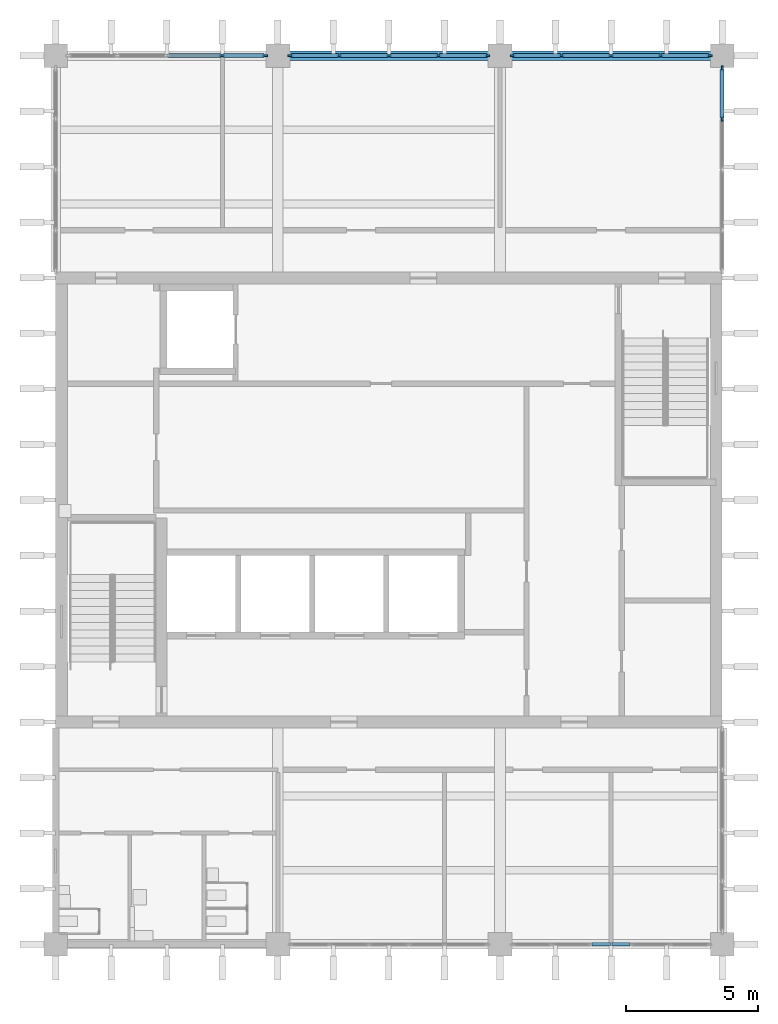
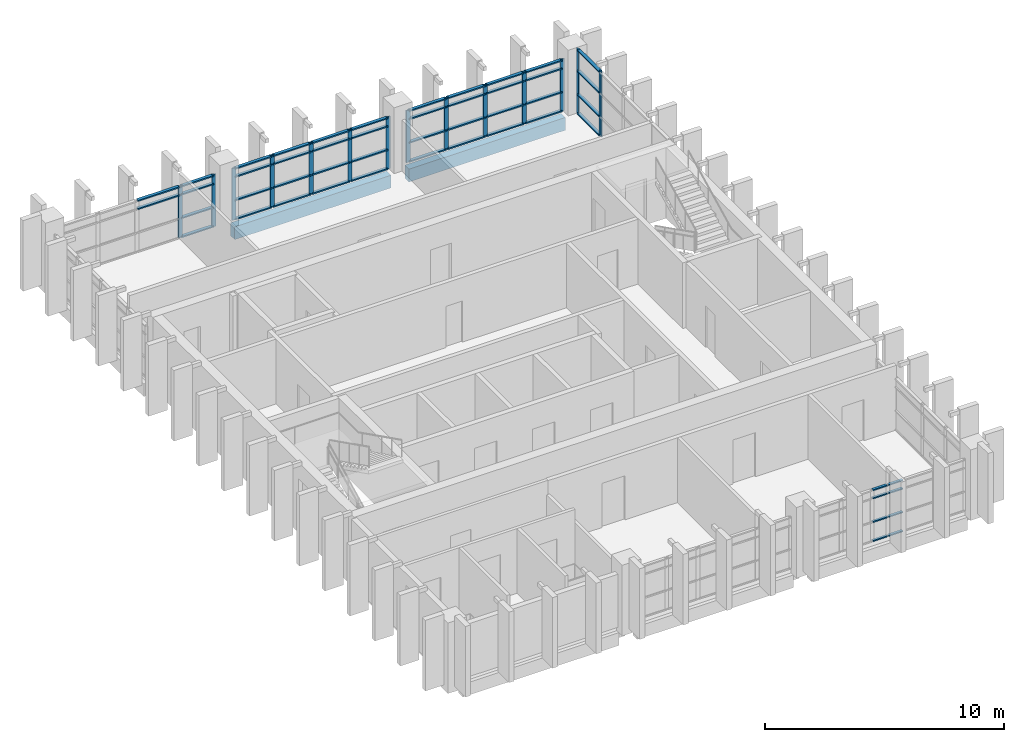
# One storey, part 4 of 11: 64 members, 2 beams, 5 elements without a shape of their own.
"""IFC4 building model written with IfcOpenShell, lengths in metres."""

from ifc_helpers import new_model, si_unit, direction, frame, origin, origin_2d, place, context, subcontext, project, spatial, rectangle, extrude, material, layer, layer_set, material_profile, profile_set, type_object, element, aggregate, save


model = new_model("IFC4")

# Units and contexts
model_context = context("Model", 3, precision=1e-05, world=origin(), true_north=direction((0.0, 1.0)))
body_context = subcontext(model_context, "Body", "Model", "MODEL_VIEW")
ifc_project = project(units=[si_unit("LENGTHUNIT", "METRE"), si_unit("AREAUNIT", "SQUARE_METRE"), si_unit("VOLUMEUNIT", "CUBIC_METRE"), si_unit("PLANEANGLEUNIT", "RADIAN"), si_unit("MASSUNIT", "GRAM", prefix="KILO")], contexts=[model_context])

# Site, building, storey
site_placement = place(None, origin())
site = spatial("IfcSite", under=ifc_project, at=site_placement, CompositionType="ELEMENT")
building_placement = place(site_placement, origin())
building = spatial("IfcBuilding", under=site, at=building_placement, Name="Rulbaag Community and Learning Centre", CompositionType="ELEMENT")
storey_placement = place(building_placement, frame((0.0, 0.0, 32.39990234375)))
storey = spatial("IfcBuildingStorey", under=building, at=storey_placement, Name="L08", CompositionType="ELEMENT", Elevation=32.39990234375)

# Beams
ifc_material_1 = material(Name="Concrete M40", Category="concrete")
ifc_material_profile_1 = material_profile(ifc_material_1, rectangle(XDim=0.35009765625, YDim=0.64990234375, at=origin_2d()), Name="RB350x650")
ifc_profile_set_1 = profile_set([ifc_material_profile_1], Name="Concrete M40")
beam_type = type_object("IfcBeamType", Name="B14 Tower edge beam, upper zone 350x650 Concrete M40", PredefinedType="BEAM", material=ifc_profile_set_1)
for number, where, z_axis, x_axis, name in (
    (1, (151.6298828125, 117.60009765625, -0.574951171875), (1.0, 0.0, 0.0), (0.0, 1.0, 0.0), "BM-L08-19O-20O"),
    (2, (160.030029296875, 117.60009765625, -0.574951171875), (1.0, 0.0, 0.0), (0.0, 1.0, 0.0), "BM-L08-20O-21O"),
):
    element("IfcBeam", number, at=place(storey_placement, frame(where, z_axis=z_axis, x_axis=x_axis)), inside=storey, type_object=beam_type, Name=name, PredefinedType="BEAM", context=body_context, shape_type="SweptSolid", body=[
        extrude(rectangle(XDim=0.35009765625, YDim=0.64990234375, at=origin_2d()), origin(), (0.0, 0.0, 1.0), 7.5400390625),
    ])

# Curtain wall, members
ifc_material_2 = material(Name="Aluminium", Category="aluminium")
ifc_layer_1 = layer(ifc_material_2, 0.14990234375)
ifc_layer_set_1 = layer_set([ifc_layer_1], Name="CW-S")
curtain_wall_type_1 = type_object("IfcCurtainWallType", Name="CW-S", PredefinedType="USERDEFINED", material=ifc_layer_set_1)
curtain_wall_1_placement = place(storey_placement, origin())
curtain_wall_1 = element("IfcCurtainWall", 3, at=curtain_wall_1_placement, inside=storey, type_object=curtain_wall_type_1, Name="GS-L08-02", ObjectType="UNITISED CURTAIN WALL", PredefinedType="USERDEFINED")
ifc_material_3 = material(Name="Aluminium transom", Category="aluminium")
ifc_material_profile_2 = material_profile(ifc_material_3, rectangle(XDim=0.125, YDim=0.06005859375, at=origin_2d()), Name="AL 60x125 T")
ifc_profile_set_2 = profile_set([ifc_material_profile_2], Name="Aluminium transom")
member_type_1 = type_object("IfcMemberType", Name="CW-S-TRN", PredefinedType="USERDEFINED", material=ifc_profile_set_2)
member_1_placement = place(storey_placement, frame((163.080078125, 84.0, 0.030029296875), z_axis=(1.0, 0.0, 0.0), x_axis=(0.0, 1.0, 0.0)))
member_1 = element("IfcMember", 4, at=member_1_placement, type_object=member_type_1, Name="GS transom 3.1", ObjectType="TRANSOM", PredefinedType="USERDEFINED", context=body_context, shape_type="SweptSolid", body=[
    extrude(rectangle(XDim=0.125, YDim=0.06005859375, at=origin_2d()), origin(), (0.0, 0.0, 1.0), 0.68994140625),
])
member_2_placement = place(storey_placement, frame((163.080078125, 84.0, 1.0), z_axis=(1.0, 0.0, 0.0), x_axis=(0.0, 1.0, 0.0)))
member_2 = element("IfcMember", 5, at=member_2_placement, type_object=member_type_1, Name="GS transom 3.2", ObjectType="TRANSOM", PredefinedType="USERDEFINED", context=body_context, shape_type="SweptSolid", body=[
    extrude(rectangle(XDim=0.125, YDim=0.06005859375, at=origin_2d()), origin(), (0.0, 0.0, 1.0), 0.68994140625),
])
member_3_placement = place(storey_placement, frame((163.080078125, 84.0, 2.2001953125), z_axis=(1.0, 0.0, 0.0), x_axis=(0.0, 1.0, 0.0)))
member_3 = element("IfcMember", 6, at=member_3_placement, type_object=member_type_1, Name="GS transom 3.3", ObjectType="TRANSOM", PredefinedType="USERDEFINED", context=body_context, shape_type="SweptSolid", body=[
    extrude(rectangle(XDim=0.125, YDim=0.06005859375, at=origin_2d()), origin(), (0.0, 0.0, 1.0), 0.68994140625),
])
member_4_placement = place(storey_placement, frame((163.080078125, 84.0, 2.6201171875), z_axis=(1.0, 0.0, 0.0), x_axis=(0.0, 1.0, 0.0)))
member_4 = element("IfcMember", 7, at=member_4_placement, type_object=member_type_1, Name="GS transom 3.4", ObjectType="TRANSOM", PredefinedType="USERDEFINED", context=body_context, shape_type="SweptSolid", body=[
    extrude(rectangle(XDim=0.125, YDim=0.06005859375, at=origin_2d()), origin(), (0.0, 0.0, 1.0), 0.68994140625),
])
member_5_placement = place(storey_placement, frame((163.830078125, 84.0, 0.030029296875), z_axis=(1.0, 0.0, 0.0), x_axis=(0.0, 1.0, 0.0)))
member_5 = element("IfcMember", 8, at=member_5_placement, type_object=member_type_1, Name="GS transom 4.1", ObjectType="TRANSOM", PredefinedType="USERDEFINED", context=body_context, shape_type="SweptSolid", body=[
    extrude(rectangle(XDim=0.125, YDim=0.06005859375, at=origin_2d()), origin(), (0.0, 0.0, 1.0), 0.68994140625),
])
member_6_placement = place(storey_placement, frame((163.830078125, 84.0, 1.0), z_axis=(1.0, 0.0, 0.0), x_axis=(0.0, 1.0, 0.0)))
member_6 = element("IfcMember", 9, at=member_6_placement, type_object=member_type_1, Name="GS transom 4.2", ObjectType="TRANSOM", PredefinedType="USERDEFINED", context=body_context, shape_type="SweptSolid", body=[
    extrude(rectangle(XDim=0.125, YDim=0.06005859375, at=origin_2d()), origin(), (0.0, 0.0, 1.0), 0.68994140625),
])
member_7_placement = place(storey_placement, frame((163.830078125, 84.0, 2.2001953125), z_axis=(1.0, 0.0, 0.0), x_axis=(0.0, 1.0, 0.0)))
member_7 = element("IfcMember", 10, at=member_7_placement, type_object=member_type_1, Name="GS transom 4.3", ObjectType="TRANSOM", PredefinedType="USERDEFINED", context=body_context, shape_type="SweptSolid", body=[
    extrude(rectangle(XDim=0.125, YDim=0.06005859375, at=origin_2d()), origin(), (0.0, 0.0, 1.0), 0.68994140625),
])
member_8_placement = place(storey_placement, frame((163.830078125, 84.0, 2.6201171875), z_axis=(1.0, 0.0, 0.0), x_axis=(0.0, 1.0, 0.0)))
member_8 = element("IfcMember", 11, at=member_8_placement, type_object=member_type_1, Name="GS transom 4.4", ObjectType="TRANSOM", PredefinedType="USERDEFINED", context=body_context, shape_type="SweptSolid", body=[
    extrude(rectangle(XDim=0.125, YDim=0.06005859375, at=origin_2d()), origin(), (0.0, 0.0, 1.0), 0.68994140625),
])
aggregate(curtain_wall_1, [member_1, member_2, member_3, member_4, member_5, member_6, member_7, member_8])

ifc_layer_2 = layer(ifc_material_2, 0.14990234375)
ifc_layer_set_2 = layer_set([ifc_layer_2], Name="CW-T")
curtain_wall_type_2 = type_object("IfcCurtainWallType", Name="CW-T", PredefinedType="USERDEFINED", material=ifc_layer_set_2)
curtain_wall_2_placement = place(storey_placement, origin())
curtain_wall_2 = element("IfcCurtainWall", 12, at=curtain_wall_2_placement, inside=storey, type_object=curtain_wall_type_2, Name="GT-L08-01", ObjectType="UNITISED CURTAIN WALL", PredefinedType="USERDEFINED")
ifc_material_4 = material(Name="Aluminium mullion", Category="aluminium")
ifc_material_profile_3 = material_profile(ifc_material_4, rectangle(XDim=0.06494140625, YDim=0.199951171875, at=origin_2d()), Name="AL 65x200")
ifc_profile_set_3 = profile_set([ifc_material_profile_3], Name="Aluminium mullion")
member_type_2 = type_object("IfcMemberType", Name="CW-T-MUL", PredefinedType="MULLION", material=ifc_profile_set_3)
member_9_placement = place(storey_placement, frame((149.10009765625, 117.60009765625, 0.0), z_axis=(0.0, 0.0, 1.0), x_axis=(0.0, 1.0, 0.0)))
member_9 = element("IfcMember", 13, at=member_9_placement, type_object=member_type_2, Name="GT mullion 4", PredefinedType="MULLION", context=body_context, shape_type="SweptSolid", body=[
    extrude(rectangle(XDim=0.06494140625, YDim=0.199951171875, at=origin_2d()), origin(), (0.0, 0.0, 1.0), 2.650146484375),
])
member_10_placement = place(storey_placement, frame((150.717529296875, 117.60009765625, 0.0), z_axis=(0.0, 0.0, 1.0), x_axis=(0.0, 1.0, 0.0)))
member_10 = element("IfcMember", 14, at=member_10_placement, type_object=member_type_2, Name="GT mullion 5", PredefinedType="MULLION", context=body_context, shape_type="SweptSolid", body=[
    extrude(rectangle(XDim=0.06494140625, YDim=0.199951171875, at=origin_2d()), origin(), (0.0, 0.0, 1.0), 2.650146484375),
])

curtain_wall_3_placement = place(storey_placement, origin())
curtain_wall_3 = element("IfcCurtainWall", 15, at=curtain_wall_3_placement, inside=storey, type_object=curtain_wall_type_2, Name="GT-L08-02", ObjectType="UNITISED CURTAIN WALL", PredefinedType="USERDEFINED")
member_11_placement = place(storey_placement, frame((151.6826171875, 117.60009765625, 0.0), z_axis=(0.0, 0.0, 1.0), x_axis=(0.0, 1.0, 0.0)))
member_11 = element("IfcMember", 16, at=member_11_placement, type_object=member_type_2, Name="GT mullion 1", PredefinedType="MULLION", context=body_context, shape_type="SweptSolid", body=[
    extrude(rectangle(XDim=0.06494140625, YDim=0.199951171875, at=origin_2d()), origin(), (0.0, 0.0, 1.0), 2.650146484375),
])
member_12_placement = place(storey_placement, frame((153.52490234375, 117.60009765625, 0.0), z_axis=(0.0, 0.0, 1.0), x_axis=(0.0, 1.0, 0.0)))
member_12 = element("IfcMember", 17, at=member_12_placement, type_object=member_type_2, Name="GT mullion 2", PredefinedType="MULLION", context=body_context, shape_type="SweptSolid", body=[
    extrude(rectangle(XDim=0.06494140625, YDim=0.199951171875, at=origin_2d()), origin(), (0.0, 0.0, 1.0), 2.650146484375),
])
member_13_placement = place(storey_placement, frame((155.39990234375, 117.60009765625, 0.0), z_axis=(0.0, 0.0, 1.0), x_axis=(0.0, 1.0, 0.0)))
member_13 = element("IfcMember", 18, at=member_13_placement, type_object=member_type_2, Name="GT mullion 3", PredefinedType="MULLION", context=body_context, shape_type="SweptSolid", body=[
    extrude(rectangle(XDim=0.06494140625, YDim=0.199951171875, at=origin_2d()), origin(), (0.0, 0.0, 1.0), 2.650146484375),
])
member_14_placement = place(storey_placement, frame((157.27490234375, 117.60009765625, 0.0), z_axis=(0.0, 0.0, 1.0), x_axis=(0.0, 1.0, 0.0)))
member_14 = element("IfcMember", 19, at=member_14_placement, type_object=member_type_2, Name="GT mullion 4", PredefinedType="MULLION", context=body_context, shape_type="SweptSolid", body=[
    extrude(rectangle(XDim=0.06494140625, YDim=0.199951171875, at=origin_2d()), origin(), (0.0, 0.0, 1.0), 2.650146484375),
])
member_15_placement = place(storey_placement, frame((159.117431640625, 117.60009765625, 0.0), z_axis=(0.0, 0.0, 1.0), x_axis=(0.0, 1.0, 0.0)))
member_15 = element("IfcMember", 20, at=member_15_placement, type_object=member_type_2, Name="GT mullion 5", PredefinedType="MULLION", context=body_context, shape_type="SweptSolid", body=[
    extrude(rectangle(XDim=0.06494140625, YDim=0.199951171875, at=origin_2d()), origin(), (0.0, 0.0, 1.0), 2.650146484375),
])

curtain_wall_4_placement = place(storey_placement, origin())
curtain_wall_4 = element("IfcCurtainWall", 21, at=curtain_wall_4_placement, inside=storey, type_object=curtain_wall_type_2, Name="GT-L08-03", ObjectType="UNITISED CURTAIN WALL", PredefinedType="USERDEFINED")
member_16_placement = place(storey_placement, frame((160.08251953125, 117.60009765625, 0.0), z_axis=(0.0, 0.0, 1.0), x_axis=(0.0, 1.0, 0.0)))
member_16 = element("IfcMember", 22, at=member_16_placement, type_object=member_type_2, Name="GT mullion 1", PredefinedType="MULLION", context=body_context, shape_type="SweptSolid", body=[
    extrude(rectangle(XDim=0.06494140625, YDim=0.199951171875, at=origin_2d()), origin(), (0.0, 0.0, 1.0), 2.650146484375),
])
member_17_placement = place(storey_placement, frame((161.925048828125, 117.60009765625, 0.0), z_axis=(0.0, 0.0, 1.0), x_axis=(0.0, 1.0, 0.0)))
member_17 = element("IfcMember", 23, at=member_17_placement, type_object=member_type_2, Name="GT mullion 2", PredefinedType="MULLION", context=body_context, shape_type="SweptSolid", body=[
    extrude(rectangle(XDim=0.06494140625, YDim=0.199951171875, at=origin_2d()), origin(), (0.0, 0.0, 1.0), 2.650146484375),
])
member_18_placement = place(storey_placement, frame((163.800048828125, 117.60009765625, 0.0), z_axis=(0.0, 0.0, 1.0), x_axis=(0.0, 1.0, 0.0)))
member_18 = element("IfcMember", 24, at=member_18_placement, type_object=member_type_2, Name="GT mullion 3", PredefinedType="MULLION", context=body_context, shape_type="SweptSolid", body=[
    extrude(rectangle(XDim=0.06494140625, YDim=0.199951171875, at=origin_2d()), origin(), (0.0, 0.0, 1.0), 2.650146484375),
])
member_19_placement = place(storey_placement, frame((165.675048828125, 117.60009765625, 0.0), z_axis=(0.0, 0.0, 1.0), x_axis=(0.0, 1.0, 0.0)))
member_19 = element("IfcMember", 25, at=member_19_placement, type_object=member_type_2, Name="GT mullion 4", PredefinedType="MULLION", context=body_context, shape_type="SweptSolid", body=[
    extrude(rectangle(XDim=0.06494140625, YDim=0.199951171875, at=origin_2d()), origin(), (0.0, 0.0, 1.0), 2.650146484375),
])
member_20_placement = place(storey_placement, frame((167.517578125, 117.60009765625, 0.0), z_axis=(0.0, 0.0, 1.0), x_axis=(0.0, 1.0, 0.0)))
member_20 = element("IfcMember", 26, at=member_20_placement, type_object=member_type_2, Name="GT mullion 5", PredefinedType="MULLION", context=body_context, shape_type="SweptSolid", body=[
    extrude(rectangle(XDim=0.06494140625, YDim=0.199951171875, at=origin_2d()), origin(), (0.0, 0.0, 1.0), 2.650146484375),
])

curtain_wall_5_placement = place(storey_placement, origin())
curtain_wall_5 = element("IfcCurtainWall", 27, at=curtain_wall_5_placement, inside=storey, type_object=curtain_wall_type_2, Name="GT-L08-06", ObjectType="UNITISED CURTAIN WALL", PredefinedType="USERDEFINED")
member_21_placement = place(storey_placement, frame((168.0, 115.21875, 0.0), z_axis=(0.0, 0.0, 1.0), x_axis=(-1.0, 0.0, 0.0)))
member_21 = element("IfcMember", 28, at=member_21_placement, type_object=member_type_2, Name="GT mullion 4", PredefinedType="MULLION", context=body_context, shape_type="SweptSolid", body=[
    extrude(rectangle(XDim=0.06494140625, YDim=0.199951171875, at=origin_2d()), origin(), (0.0, 0.0, 1.0), 3.300048828125),
])
member_22_placement = place(storey_placement, frame((168.0, 117.117431640625, 0.0), z_axis=(0.0, 0.0, 1.0), x_axis=(-1.0, 0.0, 0.0)))
member_22 = element("IfcMember", 29, at=member_22_placement, type_object=member_type_2, Name="GT mullion 5", PredefinedType="MULLION", context=body_context, shape_type="SweptSolid", body=[
    extrude(rectangle(XDim=0.06494140625, YDim=0.199951171875, at=origin_2d()), origin(), (0.0, 0.0, 1.0), 3.300048828125),
])

# Member
ifc_material_profile_4 = material_profile(ifc_material_3, rectangle(XDim=0.14990234375, YDim=0.06494140625, at=origin_2d()), Name="AL 65x150 T")
ifc_profile_set_4 = profile_set([ifc_material_profile_4], Name="Aluminium transom")
member_type_3 = type_object("IfcMemberType", Name="CW-T-TRN", PredefinedType="USERDEFINED", material=ifc_profile_set_4)
member_23_placement = place(storey_placement, frame((147.032470703125, 117.60009765625, 2.2001953125), z_axis=(1.0, 0.0, 0.0), x_axis=(0.0, 1.0, 0.0)))
member_23 = element("IfcMember", 30, at=member_23_placement, type_object=member_type_3, Name="GT transom 3.3", ObjectType="TRANSOM", PredefinedType="USERDEFINED", context=body_context, shape_type="SweptSolid", body=[
    extrude(rectangle(XDim=0.14990234375, YDim=0.06494140625, at=origin_2d()), origin(), (0.0, 0.0, 1.0), 2.034912109375),
])

member_24_placement = place(storey_placement, frame((147.032470703125, 117.60009765625, 2.61767578125), z_axis=(1.0, 0.0, 0.0), x_axis=(0.0, 1.0, 0.0)))
member_24 = element("IfcMember", 31, at=member_24_placement, type_object=member_type_3, Name="GT transom 3.4", ObjectType="TRANSOM", PredefinedType="USERDEFINED", context=body_context, shape_type="SweptSolid", body=[
    extrude(rectangle(XDim=0.14990234375, YDim=0.06494140625, at=origin_2d()), origin(), (0.0, 0.0, 1.0), 2.034912109375),
])

member_25_placement = place(storey_placement, frame((149.132568359375, 117.60009765625, 0.03271484375), z_axis=(1.0, 0.0, 0.0), x_axis=(0.0, 1.0, 0.0)))
member_25 = element("IfcMember", 32, at=member_25_placement, type_object=member_type_3, Name="GT transom 4.1", ObjectType="TRANSOM", PredefinedType="USERDEFINED", context=body_context, shape_type="SweptSolid", body=[
    extrude(rectangle(XDim=0.14990234375, YDim=0.06494140625, at=origin_2d()), origin(), (0.0, 0.0, 1.0), 1.552490234375),
])

member_26_placement = place(storey_placement, frame((149.132568359375, 117.60009765625, 1.0), z_axis=(1.0, 0.0, 0.0), x_axis=(0.0, 1.0, 0.0)))
member_26 = element("IfcMember", 33, at=member_26_placement, type_object=member_type_3, Name="GT transom 4.2", ObjectType="TRANSOM", PredefinedType="USERDEFINED", context=body_context, shape_type="SweptSolid", body=[
    extrude(rectangle(XDim=0.14990234375, YDim=0.06494140625, at=origin_2d()), origin(), (0.0, 0.0, 1.0), 1.552490234375),
])

member_27_placement = place(storey_placement, frame((149.132568359375, 117.60009765625, 2.2001953125), z_axis=(1.0, 0.0, 0.0), x_axis=(0.0, 1.0, 0.0)))
member_27 = element("IfcMember", 34, at=member_27_placement, type_object=member_type_3, Name="GT transom 4.3", ObjectType="TRANSOM", PredefinedType="USERDEFINED", context=body_context, shape_type="SweptSolid", body=[
    extrude(rectangle(XDim=0.14990234375, YDim=0.06494140625, at=origin_2d()), origin(), (0.0, 0.0, 1.0), 1.552490234375),
])

member_28_placement = place(storey_placement, frame((149.132568359375, 117.60009765625, 2.61767578125), z_axis=(1.0, 0.0, 0.0), x_axis=(0.0, 1.0, 0.0)))
member_28 = element("IfcMember", 35, at=member_28_placement, type_object=member_type_3, Name="GT transom 4.4", ObjectType="TRANSOM", PredefinedType="USERDEFINED", context=body_context, shape_type="SweptSolid", body=[
    extrude(rectangle(XDim=0.14990234375, YDim=0.06494140625, at=origin_2d()), origin(), (0.0, 0.0, 1.0), 1.552490234375),
])

aggregate(curtain_wall_2, [member_9, member_10, member_23, member_24, member_25, member_26, member_27, member_28])

member_29_placement = place(storey_placement, frame((151.715087890625, 117.60009765625, 0.03271484375), z_axis=(1.0, 0.0, 0.0), x_axis=(0.0, 1.0, 0.0)))
member_29 = element("IfcMember", 36, at=member_29_placement, type_object=member_type_3, Name="GT transom 1.1", ObjectType="TRANSOM", PredefinedType="USERDEFINED", context=body_context, shape_type="SweptSolid", body=[
    extrude(rectangle(XDim=0.14990234375, YDim=0.06494140625, at=origin_2d()), origin(), (0.0, 0.0, 1.0), 1.77734375),
])

member_30_placement = place(storey_placement, frame((151.715087890625, 117.60009765625, 1.0), z_axis=(1.0, 0.0, 0.0), x_axis=(0.0, 1.0, 0.0)))
member_30 = element("IfcMember", 37, at=member_30_placement, type_object=member_type_3, Name="GT transom 1.2", ObjectType="TRANSOM", PredefinedType="USERDEFINED", context=body_context, shape_type="SweptSolid", body=[
    extrude(rectangle(XDim=0.14990234375, YDim=0.06494140625, at=origin_2d()), origin(), (0.0, 0.0, 1.0), 1.77734375),
])

member_31_placement = place(storey_placement, frame((151.715087890625, 117.60009765625, 2.2001953125), z_axis=(1.0, 0.0, 0.0), x_axis=(0.0, 1.0, 0.0)))
member_31 = element("IfcMember", 38, at=member_31_placement, type_object=member_type_3, Name="GT transom 1.3", ObjectType="TRANSOM", PredefinedType="USERDEFINED", context=body_context, shape_type="SweptSolid", body=[
    extrude(rectangle(XDim=0.14990234375, YDim=0.06494140625, at=origin_2d()), origin(), (0.0, 0.0, 1.0), 1.77734375),
])

member_32_placement = place(storey_placement, frame((151.715087890625, 117.60009765625, 2.61767578125), z_axis=(1.0, 0.0, 0.0), x_axis=(0.0, 1.0, 0.0)))
member_32 = element("IfcMember", 39, at=member_32_placement, type_object=member_type_3, Name="GT transom 1.4", ObjectType="TRANSOM", PredefinedType="USERDEFINED", context=body_context, shape_type="SweptSolid", body=[
    extrude(rectangle(XDim=0.14990234375, YDim=0.06494140625, at=origin_2d()), origin(), (0.0, 0.0, 1.0), 1.77734375),
])

member_33_placement = place(storey_placement, frame((153.5576171875, 117.60009765625, 0.03271484375), z_axis=(1.0, 0.0, 0.0), x_axis=(0.0, 1.0, 0.0)))
member_33 = element("IfcMember", 40, at=member_33_placement, type_object=member_type_3, Name="GT transom 2.1", ObjectType="TRANSOM", PredefinedType="USERDEFINED", context=body_context, shape_type="SweptSolid", body=[
    extrude(rectangle(XDim=0.14990234375, YDim=0.06494140625, at=origin_2d()), origin(), (0.0, 0.0, 1.0), 1.809814453125),
])

member_34_placement = place(storey_placement, frame((153.5576171875, 117.60009765625, 1.0), z_axis=(1.0, 0.0, 0.0), x_axis=(0.0, 1.0, 0.0)))
member_34 = element("IfcMember", 41, at=member_34_placement, type_object=member_type_3, Name="GT transom 2.2", ObjectType="TRANSOM", PredefinedType="USERDEFINED", context=body_context, shape_type="SweptSolid", body=[
    extrude(rectangle(XDim=0.14990234375, YDim=0.06494140625, at=origin_2d()), origin(), (0.0, 0.0, 1.0), 1.809814453125),
])

member_35_placement = place(storey_placement, frame((153.5576171875, 117.60009765625, 2.2001953125), z_axis=(1.0, 0.0, 0.0), x_axis=(0.0, 1.0, 0.0)))
member_35 = element("IfcMember", 42, at=member_35_placement, type_object=member_type_3, Name="GT transom 2.3", ObjectType="TRANSOM", PredefinedType="USERDEFINED", context=body_context, shape_type="SweptSolid", body=[
    extrude(rectangle(XDim=0.14990234375, YDim=0.06494140625, at=origin_2d()), origin(), (0.0, 0.0, 1.0), 1.809814453125),
])

member_36_placement = place(storey_placement, frame((153.5576171875, 117.60009765625, 2.61767578125), z_axis=(1.0, 0.0, 0.0), x_axis=(0.0, 1.0, 0.0)))
member_36 = element("IfcMember", 43, at=member_36_placement, type_object=member_type_3, Name="GT transom 2.4", ObjectType="TRANSOM", PredefinedType="USERDEFINED", context=body_context, shape_type="SweptSolid", body=[
    extrude(rectangle(XDim=0.14990234375, YDim=0.06494140625, at=origin_2d()), origin(), (0.0, 0.0, 1.0), 1.809814453125),
])

member_37_placement = place(storey_placement, frame((155.4326171875, 117.60009765625, 0.03271484375), z_axis=(1.0, 0.0, 0.0), x_axis=(0.0, 1.0, 0.0)))
member_37 = element("IfcMember", 44, at=member_37_placement, type_object=member_type_3, Name="GT transom 3.1", ObjectType="TRANSOM", PredefinedType="USERDEFINED", context=body_context, shape_type="SweptSolid", body=[
    extrude(rectangle(XDim=0.14990234375, YDim=0.06494140625, at=origin_2d()), origin(), (0.0, 0.0, 1.0), 1.809814453125),
])

member_38_placement = place(storey_placement, frame((155.4326171875, 117.60009765625, 1.0), z_axis=(1.0, 0.0, 0.0), x_axis=(0.0, 1.0, 0.0)))
member_38 = element("IfcMember", 45, at=member_38_placement, type_object=member_type_3, Name="GT transom 3.2", ObjectType="TRANSOM", PredefinedType="USERDEFINED", context=body_context, shape_type="SweptSolid", body=[
    extrude(rectangle(XDim=0.14990234375, YDim=0.06494140625, at=origin_2d()), origin(), (0.0, 0.0, 1.0), 1.809814453125),
])

member_39_placement = place(storey_placement, frame((155.4326171875, 117.60009765625, 2.2001953125), z_axis=(1.0, 0.0, 0.0), x_axis=(0.0, 1.0, 0.0)))
member_39 = element("IfcMember", 46, at=member_39_placement, type_object=member_type_3, Name="GT transom 3.3", ObjectType="TRANSOM", PredefinedType="USERDEFINED", context=body_context, shape_type="SweptSolid", body=[
    extrude(rectangle(XDim=0.14990234375, YDim=0.06494140625, at=origin_2d()), origin(), (0.0, 0.0, 1.0), 1.809814453125),
])

member_40_placement = place(storey_placement, frame((155.4326171875, 117.60009765625, 2.61767578125), z_axis=(1.0, 0.0, 0.0), x_axis=(0.0, 1.0, 0.0)))
member_40 = element("IfcMember", 47, at=member_40_placement, type_object=member_type_3, Name="GT transom 3.4", ObjectType="TRANSOM", PredefinedType="USERDEFINED", context=body_context, shape_type="SweptSolid", body=[
    extrude(rectangle(XDim=0.14990234375, YDim=0.06494140625, at=origin_2d()), origin(), (0.0, 0.0, 1.0), 1.809814453125),
])

member_41_placement = place(storey_placement, frame((157.3076171875, 117.60009765625, 0.03271484375), z_axis=(1.0, 0.0, 0.0), x_axis=(0.0, 1.0, 0.0)))
member_41 = element("IfcMember", 48, at=member_41_placement, type_object=member_type_3, Name="GT transom 4.1", ObjectType="TRANSOM", PredefinedType="USERDEFINED", context=body_context, shape_type="SweptSolid", body=[
    extrude(rectangle(XDim=0.14990234375, YDim=0.06494140625, at=origin_2d()), origin(), (0.0, 0.0, 1.0), 1.77734375),
])

member_42_placement = place(storey_placement, frame((157.3076171875, 117.60009765625, 1.0), z_axis=(1.0, 0.0, 0.0), x_axis=(0.0, 1.0, 0.0)))
member_42 = element("IfcMember", 49, at=member_42_placement, type_object=member_type_3, Name="GT transom 4.2", ObjectType="TRANSOM", PredefinedType="USERDEFINED", context=body_context, shape_type="SweptSolid", body=[
    extrude(rectangle(XDim=0.14990234375, YDim=0.06494140625, at=origin_2d()), origin(), (0.0, 0.0, 1.0), 1.77734375),
])

member_43_placement = place(storey_placement, frame((157.3076171875, 117.60009765625, 2.2001953125), z_axis=(1.0, 0.0, 0.0), x_axis=(0.0, 1.0, 0.0)))
member_43 = element("IfcMember", 50, at=member_43_placement, type_object=member_type_3, Name="GT transom 4.3", ObjectType="TRANSOM", PredefinedType="USERDEFINED", context=body_context, shape_type="SweptSolid", body=[
    extrude(rectangle(XDim=0.14990234375, YDim=0.06494140625, at=origin_2d()), origin(), (0.0, 0.0, 1.0), 1.77734375),
])

member_44_placement = place(storey_placement, frame((157.3076171875, 117.60009765625, 2.61767578125), z_axis=(1.0, 0.0, 0.0), x_axis=(0.0, 1.0, 0.0)))
member_44 = element("IfcMember", 51, at=member_44_placement, type_object=member_type_3, Name="GT transom 4.4", ObjectType="TRANSOM", PredefinedType="USERDEFINED", context=body_context, shape_type="SweptSolid", body=[
    extrude(rectangle(XDim=0.14990234375, YDim=0.06494140625, at=origin_2d()), origin(), (0.0, 0.0, 1.0), 1.77734375),
])

aggregate(curtain_wall_3, [member_11, member_12, member_13, member_14, member_15, member_29, member_30, member_31, member_32, member_33, member_34, member_35, member_36, member_37, member_38, member_39, member_40, member_41, member_42, member_43, member_44])

member_45_placement = place(storey_placement, frame((160.114990234375, 117.60009765625, 0.03271484375), z_axis=(1.0, 0.0, 0.0), x_axis=(0.0, 1.0, 0.0)))
member_45 = element("IfcMember", 52, at=member_45_placement, type_object=member_type_3, Name="GT transom 1.1", ObjectType="TRANSOM", PredefinedType="USERDEFINED", context=body_context, shape_type="SweptSolid", body=[
    extrude(rectangle(XDim=0.14990234375, YDim=0.06494140625, at=origin_2d()), origin(), (0.0, 0.0, 1.0), 1.777587890625),
])

member_46_placement = place(storey_placement, frame((160.114990234375, 117.60009765625, 1.0), z_axis=(1.0, 0.0, 0.0), x_axis=(0.0, 1.0, 0.0)))
member_46 = element("IfcMember", 53, at=member_46_placement, type_object=member_type_3, Name="GT transom 1.2", ObjectType="TRANSOM", PredefinedType="USERDEFINED", context=body_context, shape_type="SweptSolid", body=[
    extrude(rectangle(XDim=0.14990234375, YDim=0.06494140625, at=origin_2d()), origin(), (0.0, 0.0, 1.0), 1.777587890625),
])

member_47_placement = place(storey_placement, frame((160.114990234375, 117.60009765625, 2.2001953125), z_axis=(1.0, 0.0, 0.0), x_axis=(0.0, 1.0, 0.0)))
member_47 = element("IfcMember", 54, at=member_47_placement, type_object=member_type_3, Name="GT transom 1.3", ObjectType="TRANSOM", PredefinedType="USERDEFINED", context=body_context, shape_type="SweptSolid", body=[
    extrude(rectangle(XDim=0.14990234375, YDim=0.06494140625, at=origin_2d()), origin(), (0.0, 0.0, 1.0), 1.777587890625),
])

member_48_placement = place(storey_placement, frame((160.114990234375, 117.60009765625, 2.61767578125), z_axis=(1.0, 0.0, 0.0), x_axis=(0.0, 1.0, 0.0)))
member_48 = element("IfcMember", 55, at=member_48_placement, type_object=member_type_3, Name="GT transom 1.4", ObjectType="TRANSOM", PredefinedType="USERDEFINED", context=body_context, shape_type="SweptSolid", body=[
    extrude(rectangle(XDim=0.14990234375, YDim=0.06494140625, at=origin_2d()), origin(), (0.0, 0.0, 1.0), 1.777587890625),
])

member_49_placement = place(storey_placement, frame((161.95751953125, 117.60009765625, 0.03271484375), z_axis=(1.0, 0.0, 0.0), x_axis=(0.0, 1.0, 0.0)))
member_49 = element("IfcMember", 56, at=member_49_placement, type_object=member_type_3, Name="GT transom 2.1", ObjectType="TRANSOM", PredefinedType="USERDEFINED", context=body_context, shape_type="SweptSolid", body=[
    extrude(rectangle(XDim=0.14990234375, YDim=0.06494140625, at=origin_2d()), origin(), (0.0, 0.0, 1.0), 1.81005859375),
])

member_50_placement = place(storey_placement, frame((161.95751953125, 117.60009765625, 1.0), z_axis=(1.0, 0.0, 0.0), x_axis=(0.0, 1.0, 0.0)))
member_50 = element("IfcMember", 57, at=member_50_placement, type_object=member_type_3, Name="GT transom 2.2", ObjectType="TRANSOM", PredefinedType="USERDEFINED", context=body_context, shape_type="SweptSolid", body=[
    extrude(rectangle(XDim=0.14990234375, YDim=0.06494140625, at=origin_2d()), origin(), (0.0, 0.0, 1.0), 1.81005859375),
])

member_51_placement = place(storey_placement, frame((161.95751953125, 117.60009765625, 2.2001953125), z_axis=(1.0, 0.0, 0.0), x_axis=(0.0, 1.0, 0.0)))
member_51 = element("IfcMember", 58, at=member_51_placement, type_object=member_type_3, Name="GT transom 2.3", ObjectType="TRANSOM", PredefinedType="USERDEFINED", context=body_context, shape_type="SweptSolid", body=[
    extrude(rectangle(XDim=0.14990234375, YDim=0.06494140625, at=origin_2d()), origin(), (0.0, 0.0, 1.0), 1.81005859375),
])

member_52_placement = place(storey_placement, frame((161.95751953125, 117.60009765625, 2.61767578125), z_axis=(1.0, 0.0, 0.0), x_axis=(0.0, 1.0, 0.0)))
member_52 = element("IfcMember", 59, at=member_52_placement, type_object=member_type_3, Name="GT transom 2.4", ObjectType="TRANSOM", PredefinedType="USERDEFINED", context=body_context, shape_type="SweptSolid", body=[
    extrude(rectangle(XDim=0.14990234375, YDim=0.06494140625, at=origin_2d()), origin(), (0.0, 0.0, 1.0), 1.81005859375),
])

member_53_placement = place(storey_placement, frame((163.83251953125, 117.60009765625, 0.03271484375), z_axis=(1.0, 0.0, 0.0), x_axis=(0.0, 1.0, 0.0)))
member_53 = element("IfcMember", 60, at=member_53_placement, type_object=member_type_3, Name="GT transom 3.1", ObjectType="TRANSOM", PredefinedType="USERDEFINED", context=body_context, shape_type="SweptSolid", body=[
    extrude(rectangle(XDim=0.14990234375, YDim=0.06494140625, at=origin_2d()), origin(), (0.0, 0.0, 1.0), 1.81005859375),
])

member_54_placement = place(storey_placement, frame((163.83251953125, 117.60009765625, 1.0), z_axis=(1.0, 0.0, 0.0), x_axis=(0.0, 1.0, 0.0)))
member_54 = element("IfcMember", 61, at=member_54_placement, type_object=member_type_3, Name="GT transom 3.2", ObjectType="TRANSOM", PredefinedType="USERDEFINED", context=body_context, shape_type="SweptSolid", body=[
    extrude(rectangle(XDim=0.14990234375, YDim=0.06494140625, at=origin_2d()), origin(), (0.0, 0.0, 1.0), 1.81005859375),
])

member_55_placement = place(storey_placement, frame((163.83251953125, 117.60009765625, 2.2001953125), z_axis=(1.0, 0.0, 0.0), x_axis=(0.0, 1.0, 0.0)))
member_55 = element("IfcMember", 62, at=member_55_placement, type_object=member_type_3, Name="GT transom 3.3", ObjectType="TRANSOM", PredefinedType="USERDEFINED", context=body_context, shape_type="SweptSolid", body=[
    extrude(rectangle(XDim=0.14990234375, YDim=0.06494140625, at=origin_2d()), origin(), (0.0, 0.0, 1.0), 1.81005859375),
])

member_56_placement = place(storey_placement, frame((163.83251953125, 117.60009765625, 2.61767578125), z_axis=(1.0, 0.0, 0.0), x_axis=(0.0, 1.0, 0.0)))
member_56 = element("IfcMember", 63, at=member_56_placement, type_object=member_type_3, Name="GT transom 3.4", ObjectType="TRANSOM", PredefinedType="USERDEFINED", context=body_context, shape_type="SweptSolid", body=[
    extrude(rectangle(XDim=0.14990234375, YDim=0.06494140625, at=origin_2d()), origin(), (0.0, 0.0, 1.0), 1.81005859375),
])

member_57_placement = place(storey_placement, frame((165.70751953125, 117.60009765625, 0.03271484375), z_axis=(1.0, 0.0, 0.0), x_axis=(0.0, 1.0, 0.0)))
member_57 = element("IfcMember", 64, at=member_57_placement, type_object=member_type_3, Name="GT transom 4.1", ObjectType="TRANSOM", PredefinedType="USERDEFINED", context=body_context, shape_type="SweptSolid", body=[
    extrude(rectangle(XDim=0.14990234375, YDim=0.06494140625, at=origin_2d()), origin(), (0.0, 0.0, 1.0), 1.777587890625),
])

member_58_placement = place(storey_placement, frame((165.70751953125, 117.60009765625, 1.0), z_axis=(1.0, 0.0, 0.0), x_axis=(0.0, 1.0, 0.0)))
member_58 = element("IfcMember", 65, at=member_58_placement, type_object=member_type_3, Name="GT transom 4.2", ObjectType="TRANSOM", PredefinedType="USERDEFINED", context=body_context, shape_type="SweptSolid", body=[
    extrude(rectangle(XDim=0.14990234375, YDim=0.06494140625, at=origin_2d()), origin(), (0.0, 0.0, 1.0), 1.777587890625),
])

member_59_placement = place(storey_placement, frame((165.70751953125, 117.60009765625, 2.2001953125), z_axis=(1.0, 0.0, 0.0), x_axis=(0.0, 1.0, 0.0)))
member_59 = element("IfcMember", 66, at=member_59_placement, type_object=member_type_3, Name="GT transom 4.3", ObjectType="TRANSOM", PredefinedType="USERDEFINED", context=body_context, shape_type="SweptSolid", body=[
    extrude(rectangle(XDim=0.14990234375, YDim=0.06494140625, at=origin_2d()), origin(), (0.0, 0.0, 1.0), 1.777587890625),
])

member_60_placement = place(storey_placement, frame((165.70751953125, 117.60009765625, 2.61767578125), z_axis=(1.0, 0.0, 0.0), x_axis=(0.0, 1.0, 0.0)))
member_60 = element("IfcMember", 67, at=member_60_placement, type_object=member_type_3, Name="GT transom 4.4", ObjectType="TRANSOM", PredefinedType="USERDEFINED", context=body_context, shape_type="SweptSolid", body=[
    extrude(rectangle(XDim=0.14990234375, YDim=0.06494140625, at=origin_2d()), origin(), (0.0, 0.0, 1.0), 1.777587890625),
])

aggregate(curtain_wall_4, [member_16, member_17, member_18, member_19, member_20, member_45, member_46, member_47, member_48, member_49, member_50, member_51, member_52, member_53, member_54, member_55, member_56, member_57, member_58, member_59, member_60])

member_61_placement = place(storey_placement, frame((168.0, 115.251220703125, 0.03271484375), z_axis=(0.0, 1.0, 0.0), x_axis=(-1.0, 0.0, 0.0)))
member_61 = element("IfcMember", 68, at=member_61_placement, type_object=member_type_3, Name="GT transom 4.1", ObjectType="TRANSOM", PredefinedType="USERDEFINED", context=body_context, shape_type="SweptSolid", body=[
    extrude(rectangle(XDim=0.14990234375, YDim=0.06494140625, at=origin_2d()), origin(), (0.0, 0.0, 1.0), 1.833740234375),
])

member_62_placement = place(storey_placement, frame((168.0, 115.251220703125, 1.0), z_axis=(0.0, 1.0, 0.0), x_axis=(-1.0, 0.0, 0.0)))
member_62 = element("IfcMember", 69, at=member_62_placement, type_object=member_type_3, Name="GT transom 4.2", ObjectType="TRANSOM", PredefinedType="USERDEFINED", context=body_context, shape_type="SweptSolid", body=[
    extrude(rectangle(XDim=0.14990234375, YDim=0.06494140625, at=origin_2d()), origin(), (0.0, 0.0, 1.0), 1.833740234375),
])

member_63_placement = place(storey_placement, frame((168.0, 115.251220703125, 2.2001953125), z_axis=(0.0, 1.0, 0.0), x_axis=(-1.0, 0.0, 0.0)))
member_63 = element("IfcMember", 70, at=member_63_placement, type_object=member_type_3, Name="GT transom 4.3", ObjectType="TRANSOM", PredefinedType="USERDEFINED", context=body_context, shape_type="SweptSolid", body=[
    extrude(rectangle(XDim=0.14990234375, YDim=0.06494140625, at=origin_2d()), origin(), (0.0, 0.0, 1.0), 1.833740234375),
])

member_64_placement = place(storey_placement, frame((168.0, 115.251220703125, 3.267578125), z_axis=(0.0, 1.0, 0.0), x_axis=(-1.0, 0.0, 0.0)))
member_64 = element("IfcMember", 71, at=member_64_placement, type_object=member_type_3, Name="GT transom 4.4", ObjectType="TRANSOM", PredefinedType="USERDEFINED", context=body_context, shape_type="SweptSolid", body=[
    extrude(rectangle(XDim=0.14990234375, YDim=0.06494140625, at=origin_2d()), origin(), (0.0, 0.0, 1.0), 1.833740234375),
])

aggregate(curtain_wall_5, [member_21, member_22, member_61, member_62, member_63, member_64])

save(model, "model.ifc")
